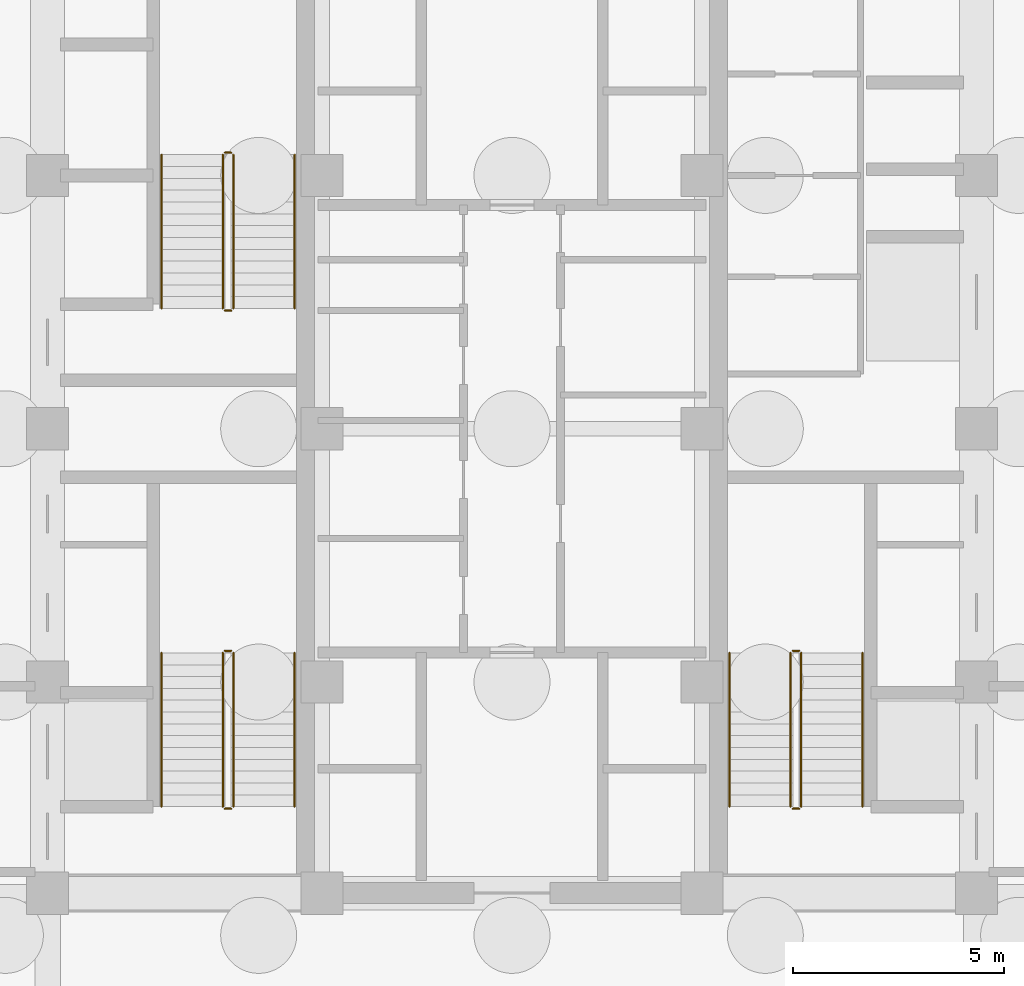
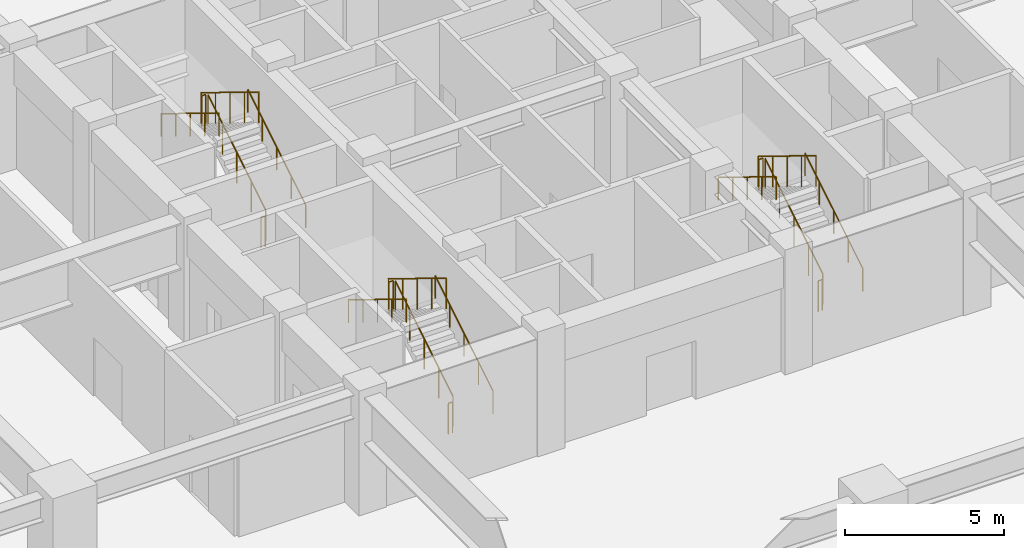
# One storey, part 11 of 13: 18 railings.
"""IFC4 building model written with IfcOpenShell, lengths in metres."""

from ifc_helpers import new_model, si_unit, direction, frame, origin, origin_2d, place, context, subcontext, project, spatial, circle, extrude, source, transform, mapped, material, type_object, element, save


model = new_model("IFC4")

# Units and contexts
model_context = context("Model", 3, precision=1e-05, world=origin(), true_north=direction((0.0, 1.0)))
body_context = subcontext(model_context, "Body", "Model", "MODEL_VIEW")
ifc_project = project(units=[si_unit("LENGTHUNIT", "METRE"), si_unit("AREAUNIT", "SQUARE_METRE"), si_unit("VOLUMEUNIT", "CUBIC_METRE"), si_unit("PLANEANGLEUNIT", "RADIAN"), si_unit("MASSUNIT", "GRAM", prefix="KILO")], contexts=[model_context])

# Site, building, storey
site_placement = place(None, origin())
site = spatial("IfcSite", under=ifc_project, at=site_placement, CompositionType="ELEMENT")
building_placement = place(site_placement, origin())
building = spatial("IfcBuilding", under=site, at=building_placement, Name="Khorayat Bourse Tower", CompositionType="ELEMENT")
storey_placement = place(building_placement, frame((0.0, 0.0, -9.60009765625)))
storey = spatial("IfcBuildingStorey", under=building, at=storey_placement, Name="B02", CompositionType="ELEMENT", Elevation=-9.60009765625)

# Railings
ifc_material_1 = material(Name="Powder-coated steel balustrade", Category="steel")
railing_type_1 = type_object("IfcRailingType", Name="RLG-GUARD-1200", PredefinedType="GUARDRAIL", material=ifc_material_1)
shared_shape_1 = source(origin(), body_context, "Body", "SweptSolid", [
    extrude(circle(Radius=0.02392578125, at=origin_2d()), frame((0.0, 0.0, 1.17578125), z_axis=(0.0, 0.852850264322, 0.5221555579), x_axis=(-1.0, 0.0, 0.0)), (0.0, 0.0, 1.0), 4.267822265625),
    extrude(circle(Radius=0.02099609375, at=origin_2d()), origin(), (0.0, 0.0, 1.0), 1.15185546875),
    extrude(circle(Radius=0.02099609375, at=origin_2d()), frame((0.0, 0.909912109375, 0.55712890625)), (0.0, 0.0, 1.0), 1.15185546875),
    extrude(circle(Radius=0.02099609375, at=origin_2d()), frame((0.0, 1.81982421875, 1.1142578125)), (0.0, 0.0, 1.0), 1.15185546875),
    extrude(circle(Radius=0.02099609375, at=origin_2d()), frame((0.0, 2.72998046875, 1.67138671875)), (0.0, 0.0, 1.0), 1.15185546875),
    extrude(circle(Radius=0.02099609375, at=origin_2d()), frame((0.0, 3.639892578125, 2.228515625)), (0.0, 0.0, 1.0), 1.15185546875),
])
for number, where, name in (
    (1, (-6.60009765625, -8.949951171875, 0.171630859375), "B02 ST-1 stair guard 1"),
    (2, (-6.60009765625, 2.85009765625, 0.171630859375), "B02 ST-2 stair guard 1"),
    (3, (6.85009765625, -8.949951171875, 0.171630859375), "B02 ST-3 stair guard 1"),
):
    element("IfcRailing", number, at=place(storey_placement, frame(where)), inside=storey, type_object=railing_type_1, Name=name, PredefinedType="GUARDRAIL", context=body_context, shape_type="MappedRepresentation", body=[
        mapped(shared_shape_1, transform((0.0, 0.0, 0.0), scale=1.0)),
    ])
shared_shape_2 = source(origin(), body_context, "Body", "SweptSolid", [
    extrude(circle(Radius=0.02392578125, at=origin_2d()), frame((0.0, 0.0, 1.17578125), z_axis=(-1.0, 0.0, 0.0), x_axis=(0.0, -1.0, 0.0)), (0.0, 0.0, 1.0), 0.150146484375),
    extrude(circle(Radius=0.02099609375, at=origin_2d()), origin(), (0.0, 0.0, 1.0), 1.15185546875),
    extrude(circle(Radius=0.02099609375, at=origin_2d()), frame((-0.150146484375, 0.0, 0.0)), (0.0, 0.0, 1.0), 1.15185546875),
])
for number, where, name in (
    (4, (-6.64990234375, -5.260009765625, 2.400146484375), "B02 ST-1 stair guard 2"),
    (5, (-6.64990234375, -9.0, 0.0), "B02 ST-1 stair guard 4"),
    (6, (-6.64990234375, 6.5400390625, 2.400146484375), "B02 ST-2 stair guard 2"),
    (7, (-6.64990234375, 2.800048828125, 0.0), "B02 ST-2 stair guard 4"),
    (8, (6.800048828125, -5.260009765625, 2.400146484375), "B02 ST-3 stair guard 2"),
    (9, (6.800048828125, -9.0, 0.0), "B02 ST-3 stair guard 4"),
):
    element("IfcRailing", number, at=place(storey_placement, frame(where)), inside=storey, type_object=railing_type_1, Name=name, PredefinedType="GUARDRAIL", context=body_context, shape_type="MappedRepresentation", body=[
        mapped(shared_shape_2, transform((0.0, 0.0, 0.0), scale=1.0)),
    ])
shared_shape_3 = source(origin(), body_context, "Body", "SweptSolid", [
    extrude(circle(Radius=0.02392578125, at=origin_2d()), frame((0.0, 0.0, 1.17578125), z_axis=(0.0, -0.852850264322, 0.5221555579), x_axis=(1.0, 0.0, 0.0)), (0.0, 0.0, 1.0), 4.267822265625),
    extrude(circle(Radius=0.02099609375, at=origin_2d()), origin(), (0.0, 0.0, 1.0), 1.15185546875),
    extrude(circle(Radius=0.02099609375, at=origin_2d()), frame((0.0, -0.909912109375, 0.55712890625)), (0.0, 0.0, 1.0), 1.15185546875),
    extrude(circle(Radius=0.02099609375, at=origin_2d()), frame((0.0, -1.81982421875, 1.1142578125)), (0.0, 0.0, 1.0), 1.15185546875),
    extrude(circle(Radius=0.02099609375, at=origin_2d()), frame((0.0, -2.72998046875, 1.67138671875)), (0.0, 0.0, 1.0), 1.15185546875),
    extrude(circle(Radius=0.02099609375, at=origin_2d()), frame((0.0, -3.639892578125, 2.228515625)), (0.0, 0.0, 1.0), 1.15185546875),
])
for number, where, name in (
    (10, (-6.85009765625, -5.31005859375, 2.571533203125), "B02 ST-1 stair guard 3"),
    (11, (-6.85009765625, 6.489990234375, 2.571533203125), "B02 ST-2 stair guard 3"),
    (12, (6.60009765625, -5.31005859375, 2.571533203125), "B02 ST-3 stair guard 3"),
):
    element("IfcRailing", number, at=place(storey_placement, frame(where)), inside=storey, type_object=railing_type_1, Name=name, PredefinedType="GUARDRAIL", context=body_context, shape_type="MappedRepresentation", body=[
        mapped(shared_shape_3, transform((0.0, 0.0, 0.0), scale=1.0)),
    ])
ifc_material_2 = material(Name="Brushed bronze stainless-steel handrail", Category="steel")
railing_type_2 = type_object("IfcRailingType", Name="RLG-HAND-900", PredefinedType="HANDRAIL", material=ifc_material_2)
shared_shape_4 = source(origin(), body_context, "Body", "SweptSolid", [
    extrude(circle(Radius=0.02392578125, at=origin_2d()), frame((0.0, 0.0, 0.8759765625), z_axis=(0.0, 0.852850264322, 0.5221555579), x_axis=(-1.0, 0.0, 0.0)), (0.0, 0.0, 1.0), 4.267822265625),
    extrude(circle(Radius=0.02099609375, at=origin_2d()), origin(), (0.0, 0.0, 1.0), 0.851806640625),
    extrude(circle(Radius=0.02099609375, at=origin_2d()), frame((0.0, 0.909912109375, 0.55712890625)), (0.0, 0.0, 1.0), 0.851806640625),
    extrude(circle(Radius=0.02099609375, at=origin_2d()), frame((0.0, 1.81982421875, 1.1142578125)), (0.0, 0.0, 1.0), 0.851806640625),
    extrude(circle(Radius=0.02099609375, at=origin_2d()), frame((0.0, 2.72998046875, 1.67138671875)), (0.0, 0.0, 1.0), 0.851806640625),
    extrude(circle(Radius=0.02099609375, at=origin_2d()), frame((0.0, 3.639892578125, 2.228515625)), (0.0, 0.0, 1.0), 0.851806640625),
])
for number, where, name in (
    (13, (-5.14990234375, -8.949951171875, 0.171630859375), "B02 ST-1 stair handrail 1"),
    (14, (-5.14990234375, 2.85009765625, 0.171630859375), "B02 ST-2 stair handrail 1"),
    (15, (8.300048828125, -8.949951171875, 0.171630859375), "B02 ST-3 stair handrail 1"),
):
    element("IfcRailing", number, at=place(storey_placement, frame(where)), inside=storey, type_object=railing_type_2, Name=name, PredefinedType="HANDRAIL", context=body_context, shape_type="MappedRepresentation", body=[
        mapped(shared_shape_4, transform((0.0, 0.0, 0.0), scale=1.0)),
    ])
shared_shape_5 = source(origin(), body_context, "Body", "SweptSolid", [
    extrude(circle(Radius=0.02392578125, at=origin_2d()), frame((0.0, 0.0, 0.8759765625), z_axis=(0.0, -0.852850264322, 0.5221555579), x_axis=(1.0, 0.0, 0.0)), (0.0, 0.0, 1.0), 4.267822265625),
    extrude(circle(Radius=0.02099609375, at=origin_2d()), origin(), (0.0, 0.0, 1.0), 0.851806640625),
    extrude(circle(Radius=0.02099609375, at=origin_2d()), frame((0.0, -0.909912109375, 0.55712890625)), (0.0, 0.0, 1.0), 0.851806640625),
    extrude(circle(Radius=0.02099609375, at=origin_2d()), frame((0.0, -1.81982421875, 1.1142578125)), (0.0, 0.0, 1.0), 0.851806640625),
    extrude(circle(Radius=0.02099609375, at=origin_2d()), frame((0.0, -2.72998046875, 1.67138671875)), (0.0, 0.0, 1.0), 0.851806640625),
    extrude(circle(Radius=0.02099609375, at=origin_2d()), frame((0.0, -3.639892578125, 2.228515625)), (0.0, 0.0, 1.0), 0.851806640625),
])
for number, where, name in (
    (16, (-8.300048828125, -5.31005859375, 2.571533203125), "B02 ST-1 stair handrail 2"),
    (17, (-8.300048828125, 6.489990234375, 2.571533203125), "B02 ST-2 stair handrail 2"),
    (18, (5.14990234375, -5.31005859375, 2.571533203125), "B02 ST-3 stair handrail 2"),
):
    element("IfcRailing", number, at=place(storey_placement, frame(where)), inside=storey, type_object=railing_type_2, Name=name, PredefinedType="HANDRAIL", context=body_context, shape_type="MappedRepresentation", body=[
        mapped(shared_shape_5, transform((0.0, 0.0, 0.0), scale=1.0)),
    ])

save(model, "model.ifc")
